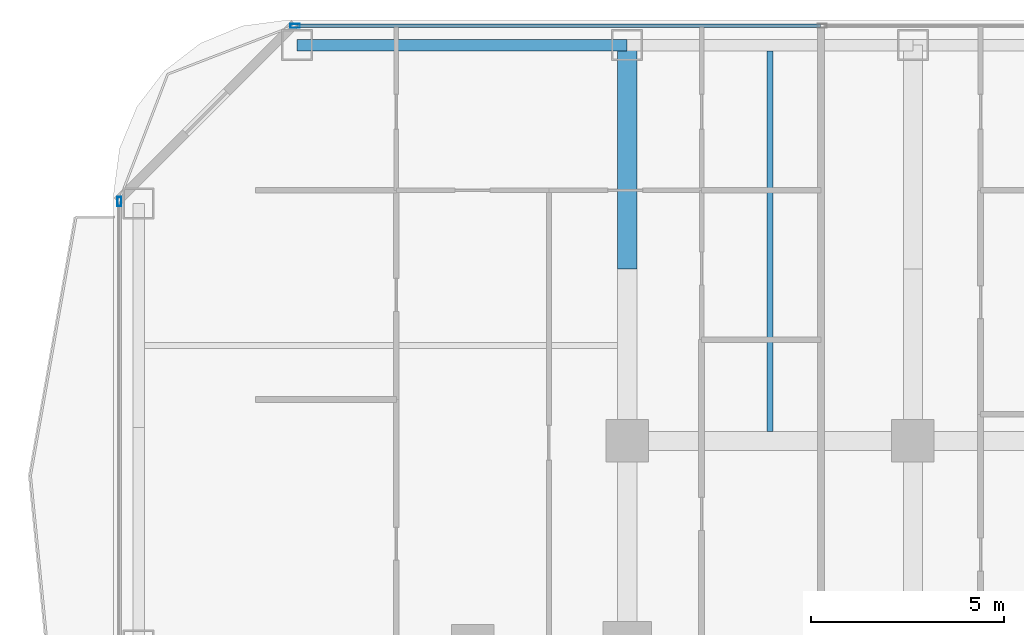
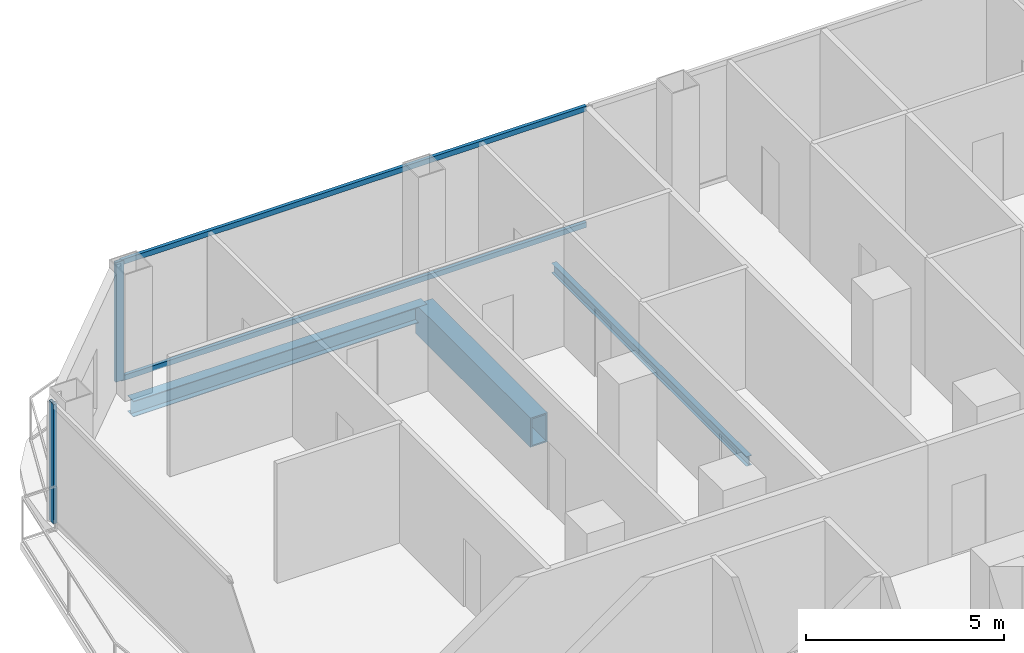
# One storey, part 11 of 29: 4 members, 3 beams, 2 elements without a shape of their own.
"""IFC4 building model written with IfcOpenShell, lengths in metres."""

from ifc_helpers import new_model, si_unit, direction, frame, origin, origin_2d, place, context, subcontext, project, spatial, hollow_rectangle, i_section, extrude, material, layer, layer_set, material_profile, profile_set, type_object, element, aggregate, save


model = new_model("IFC4")

# Units and contexts
model_context = context("Model", 3, precision=1e-05, world=origin(), true_north=direction((0.0, 1.0)))
body_context = subcontext(model_context, "Body", "Model", "MODEL_VIEW")
ifc_project = project(units=[si_unit("LENGTHUNIT", "METRE"), si_unit("AREAUNIT", "SQUARE_METRE"), si_unit("VOLUMEUNIT", "CUBIC_METRE"), si_unit("PLANEANGLEUNIT", "RADIAN"), si_unit("MASSUNIT", "GRAM", prefix="KILO")], contexts=[model_context])

# Site, building, storey
site_placement = place(None, origin())
site = spatial("IfcSite", under=ifc_project, at=site_placement, CompositionType="ELEMENT")
building_placement = place(site_placement, origin())
building = spatial("IfcBuilding", under=site, at=building_placement, Name="Khorvyn Point Tower", CompositionType="ELEMENT")
storey_placement = place(building_placement, frame((0.0, 0.0, 85.199951171875)))
storey = spatial("IfcBuildingStorey", under=building, at=storey_placement, Name="L21", CompositionType="ELEMENT", Elevation=85.199951171875)

# Curtain wall, member
ifc_material_1 = material(Name="Anodised aluminium 6063-T6 and laminated Low-E glass", Category="aluminium")
ifc_layer = layer(ifc_material_1, 0.18994140625)
ifc_layer_set = layer_set([ifc_layer], Name="Stick-Built Finned Residential Curtain Wall CW-SYS-02")
curtain_wall_type = type_object("IfcCurtainWallType", Name="Stick-Built Finned Residential Curtain Wall CW-SYS-02", PredefinedType="NOTDEFINED", material=ifc_layer_set)
curtain_wall_1_placement = place(storey_placement, origin())
curtain_wall_1 = element("IfcCurtainWall", 1, at=curtain_wall_1_placement, inside=storey, type_object=curtain_wall_type, Name="Curtain Wall", PredefinedType="NOTDEFINED")
ifc_material_2 = material(Name="Anodised aluminium 6063-T6", Category="aluminium")
ifc_material_profile_1 = material_profile(ifc_material_2, hollow_rectangle(XDim=0.10009765625, YDim=0.239990234375, WallThickness=0.0048828125, at=origin_2d()))
ifc_profile_set_1 = profile_set([ifc_material_profile_1], Name="Anodised aluminium 6063-T6 ALU-MUL-100x240")
member_type_1 = type_object("IfcMemberType", Name="Anodised Aluminium 6063-T6 Mullion ALU-MUL-100x240", PredefinedType="MULLION", material=ifc_profile_set_1)
member_1_placement = place(storey_placement, frame((-23.39990234375, 30.85009765625, 0.0), z_axis=(0.0, 0.0, 1.0), x_axis=(0.0, 1.0, 0.0)))
member_1 = element("IfcMember", 2, at=member_1_placement, type_object=member_type_1, Name="Transom", PredefinedType="MULLION", context=body_context, shape_type="SweptSolid", body=[
    extrude(hollow_rectangle(XDim=0.10009765625, YDim=0.239990234375, WallThickness=0.0048828125, at=origin_2d()), origin(), (0.0, 0.0, 1.0), 3.679931640625),
])

curtain_wall_2_placement = place(storey_placement, origin())
curtain_wall_2 = element("IfcCurtainWall", 3, at=curtain_wall_2_placement, inside=storey, type_object=curtain_wall_type, Name="Curtain Wall", PredefinedType="NOTDEFINED")
member_2_placement = place(storey_placement, frame((-27.949951171875, 26.300048828125, 0.0), z_axis=(0.0, 0.0, 1.0), x_axis=(-1.0, 0.0, 0.0)))
member_2 = element("IfcMember", 4, at=member_2_placement, type_object=member_type_1, Name="Transom", PredefinedType="MULLION", context=body_context, shape_type="SweptSolid", body=[
    extrude(hollow_rectangle(XDim=0.10009765625, YDim=0.239990234375, WallThickness=0.0048828125, at=origin_2d()), origin(), (0.0, 0.0, 1.0), 3.679931640625),
])
aggregate(curtain_wall_2, [member_2])

# Member
ifc_material_profile_2 = material_profile(ifc_material_2, hollow_rectangle(XDim=0.10009765625, YDim=0.159912109375, WallThickness=0.00439453125, at=origin_2d()))
ifc_profile_set_2 = profile_set([ifc_material_profile_2], Name="Anodised aluminium 6063-T6 ALU-TRN-100x160")
member_type_2 = type_object("IfcMemberType", Name="Anodised Aluminium 6063-T6 Transom ALU-TRN-100x160", PredefinedType="USERDEFINED", material=ifc_profile_set_2)
member_3_placement = place(storey_placement, frame((-23.35009765625, 30.85009765625, 0.050048828125), z_axis=(1.0, 0.0, 0.0), x_axis=(0.0, 1.0, 0.0)))
member_3 = element("IfcMember", 5, at=member_3_placement, type_object=member_type_2, Name="Transom", ObjectType="TRANSOM", PredefinedType="USERDEFINED", context=body_context, shape_type="SweptSolid", body=[
    extrude(hollow_rectangle(XDim=0.10009765625, YDim=0.159912109375, WallThickness=0.00439453125, at=origin_2d()), origin(), (0.0, 0.0, 1.0), 13.550048828125),
])

member_4_placement = place(storey_placement, frame((-23.35009765625, 30.85009765625, 3.630126953125), z_axis=(1.0, 0.0, 0.0), x_axis=(0.0, 1.0, 0.0)))
member_4 = element("IfcMember", 6, at=member_4_placement, type_object=member_type_2, Name="Transom", ObjectType="TRANSOM", PredefinedType="USERDEFINED", context=body_context, shape_type="SweptSolid", body=[
    extrude(hollow_rectangle(XDim=0.10009765625, YDim=0.159912109375, WallThickness=0.00439453125, at=origin_2d()), origin(), (0.0, 0.0, 1.0), 13.550048828125),
])

aggregate(curtain_wall_1, [member_1, member_3, member_4])

# Beams
ifc_material_3 = material(Name="Steel S355", Category="steel")
ifc_material_profile_3 = material_profile(ifc_material_3, i_section(OverallWidth=0.14990234375, OverallDepth=0.300048828125, WebThickness=0.006591796875, FlangeThickness=0.009033203125, at=origin_2d()))
ifc_profile_set_3 = profile_set([ifc_material_profile_3], Name="Steel S355 H300x150x6.5x9")
beam_type_1 = type_object("IfcBeamType", Name="Steel S355 Joist H300x150x6.5x9", PredefinedType="JOIST", material=ifc_profile_set_3)
beam_1_placement = place(storey_placement, frame((-11.10009765625, 20.35009765625, -0.429931640625), z_axis=(0.0, 1.0, 0.0), x_axis=(-1.0, 0.0, 0.0)))
element("IfcBeam", 7, at=beam_1_placement, inside=storey, type_object=beam_type_1, Name="Beam", PredefinedType="JOIST", context=body_context, shape_type="SweptSolid", body=[
    extrude(i_section(OverallWidth=0.14990234375, OverallDepth=0.300048828125, WebThickness=0.006591796875, FlangeThickness=0.009033203125, at=origin_2d()), origin(), (0.0, 0.0, 1.0), 9.849853515625),
])
ifc_material_profile_4 = material_profile(ifc_material_3, i_section(OverallWidth=0.300048828125, OverallDepth=0.488037109375, WebThickness=0.010986328125, FlangeThickness=0.01806640625, at=origin_2d()))
ifc_profile_set_4 = profile_set([ifc_material_profile_4], Name="Steel S355 H488x300x11x18")
beam_type_2 = type_object("IfcBeamType", Name="Steel S355 Spandrel H488x300x11x18", PredefinedType="SPANDREL", material=ifc_profile_set_4)
beam_2_placement = place(storey_placement, frame((-23.35009765625, 30.35009765625, -0.52392578125), z_axis=(1.0, 0.0, 0.0), x_axis=(0.0, 1.0, 0.0)))
element("IfcBeam", 8, at=beam_2_placement, inside=storey, type_object=beam_type_2, Name="Beam", PredefinedType="SPANDREL", context=body_context, shape_type="SweptSolid", body=[
    extrude(i_section(OverallWidth=0.300048828125, OverallDepth=0.488037109375, WebThickness=0.010986328125, FlangeThickness=0.01806640625, at=origin_2d()), origin(), (0.0, 0.0, 1.0), 8.550048828125),
])
ifc_material_4 = material(Name="Steel S450", Category="steel")
ifc_material_profile_5 = material_profile(ifc_material_4, hollow_rectangle(XDim=0.5, YDim=0.89990234375, WallThickness=0.0400390625, at=origin_2d()))
ifc_profile_set_5 = profile_set([ifc_material_profile_5], Name="Steel S450 BOX900x500x40")
beam_type_3 = type_object("IfcBeamType", Name="Steel S450 Beam BOX900x500x40", PredefinedType="BEAM", material=ifc_profile_set_5)
beam_3_placement = place(storey_placement, frame((-14.800048828125, 24.550048828125, -0.72998046875), z_axis=(0.0, 1.0, 0.0), x_axis=(-1.0, 0.0, 0.0)))
element("IfcBeam", 9, at=beam_3_placement, inside=storey, type_object=beam_type_3, Name="L21 Radial Transfer Girder", PredefinedType="BEAM", context=body_context, shape_type="SweptSolid", body=[
    extrude(hollow_rectangle(XDim=0.5, YDim=0.89990234375, WallThickness=0.0400390625, at=origin_2d()), origin(), (0.0, 0.0, 1.0), 5.800048828125),
])

save(model, "model.ifc")
